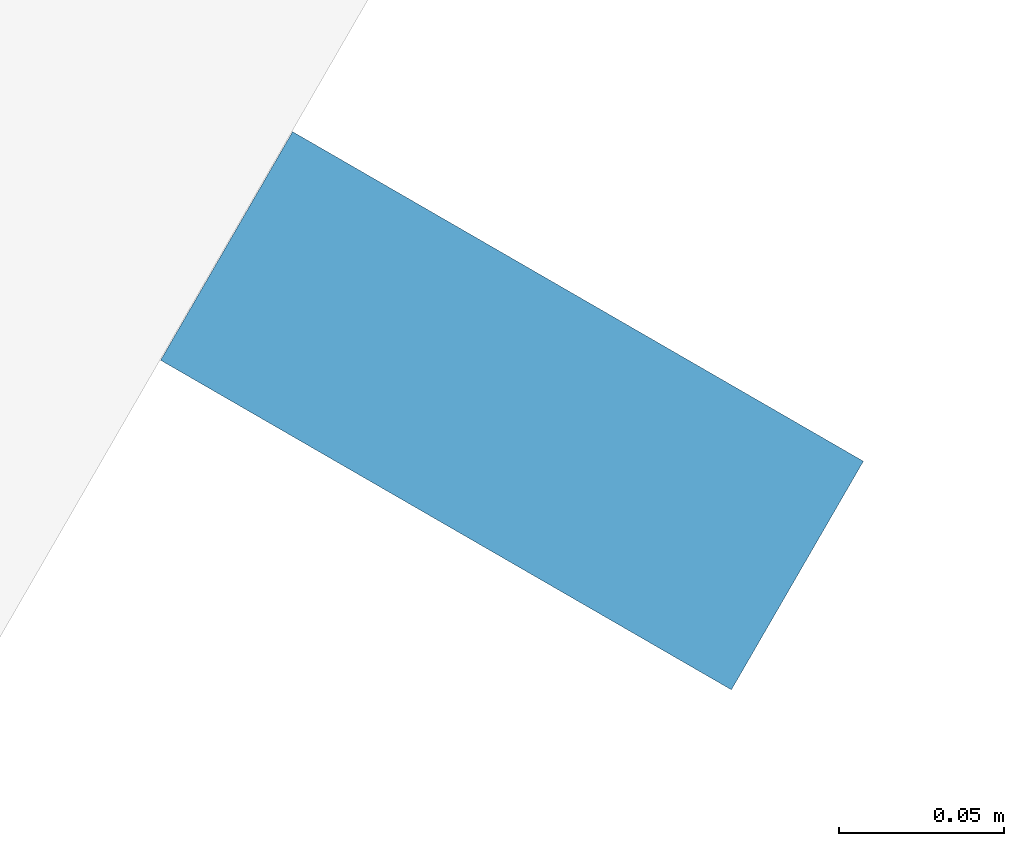
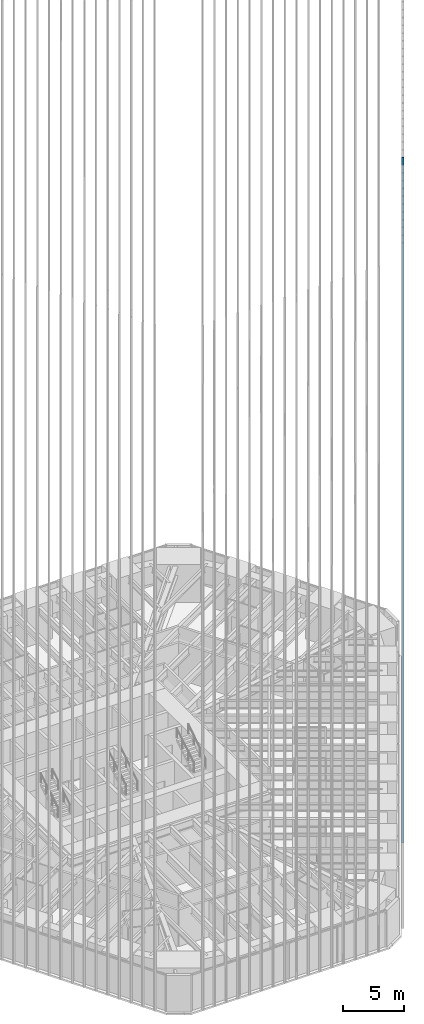
# One storey, part 98 of 256: 1 member, 1 element without a shape of its own.
"""IFC4 building model written with IfcOpenShell, lengths in metres."""

from ifc_helpers import new_model, si_unit, direction, frame, origin, origin_2d, place, context, subcontext, project, spatial, rectangle, extrude, material, material_profile, profile_set, type_object, element, aggregate, save


model = new_model("IFC4")

# Units and contexts
model_context = context("Model", 3, precision=1e-05, world=origin(), true_north=direction((0.0, 1.0)))
body_context = subcontext(model_context, "Body", "Model", "MODEL_VIEW")
ifc_project = project(units=[si_unit("LENGTHUNIT", "METRE"), si_unit("AREAUNIT", "SQUARE_METRE"), si_unit("VOLUMEUNIT", "CUBIC_METRE"), si_unit("PLANEANGLEUNIT", "RADIAN"), si_unit("MASSUNIT", "GRAM", prefix="KILO")], contexts=[model_context])

# Site, building, storey
site_placement = place(None, origin())
site = spatial("IfcSite", under=ifc_project, at=site_placement, CompositionType="ELEMENT")
building_placement = place(site_placement, origin())
building = spatial("IfcBuilding", under=site, at=building_placement, Name="Sandreach Pilgrim Tower", CompositionType="ELEMENT")
storey_placement = place(building_placement, frame((0.0, 0.0, 23.0)))
storey = spatial("IfcBuildingStorey", under=building, at=storey_placement, Name="L04", CompositionType="ELEMENT", Elevation=23.0)

# Curtain wall, member
ifc_material_1 = material(Name="Aluminium framed curtain wall", Category="aluminium")
curtain_wall_type = type_object("IfcCurtainWallType", Name="Hostel tower curtain wall", PredefinedType="NOTDEFINED", material=ifc_material_1)
curtain_wall_placement = place(storey_placement, origin())
curtain_wall = element("IfcCurtainWall", 1, at=curtain_wall_placement, inside=storey, type_object=curtain_wall_type, Name="CW-1 L04 SE", PredefinedType="NOTDEFINED")
ifc_material_2 = material(Name="Extruded terracotta on aluminium core", Category="masonry")
ifc_material_profile = material_profile(ifc_material_2, rectangle(XDim=0.080078125, YDim=0.199951171875, at=origin_2d()), Name="TBE 80X200")
ifc_profile_set = profile_set([ifc_material_profile], Name="Extruded terracotta on aluminium core")
member_type = type_object("IfcMemberType", Name="Terracotta baguette east", PredefinedType="USERDEFINED", material=ifc_profile_set)
member_placement = place(storey_placement, frame((17.76953125, -17.919921875, 0.0), z_axis=(0.0, 0.0, 1.0), x_axis=(-0.5, -0.866025403784, 0.0)))
member = element("IfcMember", 2, at=member_placement, type_object=member_type, Name="Baguette Z1 SE24", ObjectType="BAGUETTE", PredefinedType="USERDEFINED", context=body_context, shape_type="SweptSolid", body=[
    extrude(rectangle(XDim=0.080078125, YDim=0.199951171875, at=origin_2d()), origin(), (0.0, 0.0, 1.0), 68.239990234375),
])
aggregate(curtain_wall, [member])

save(model, "model.ifc")
